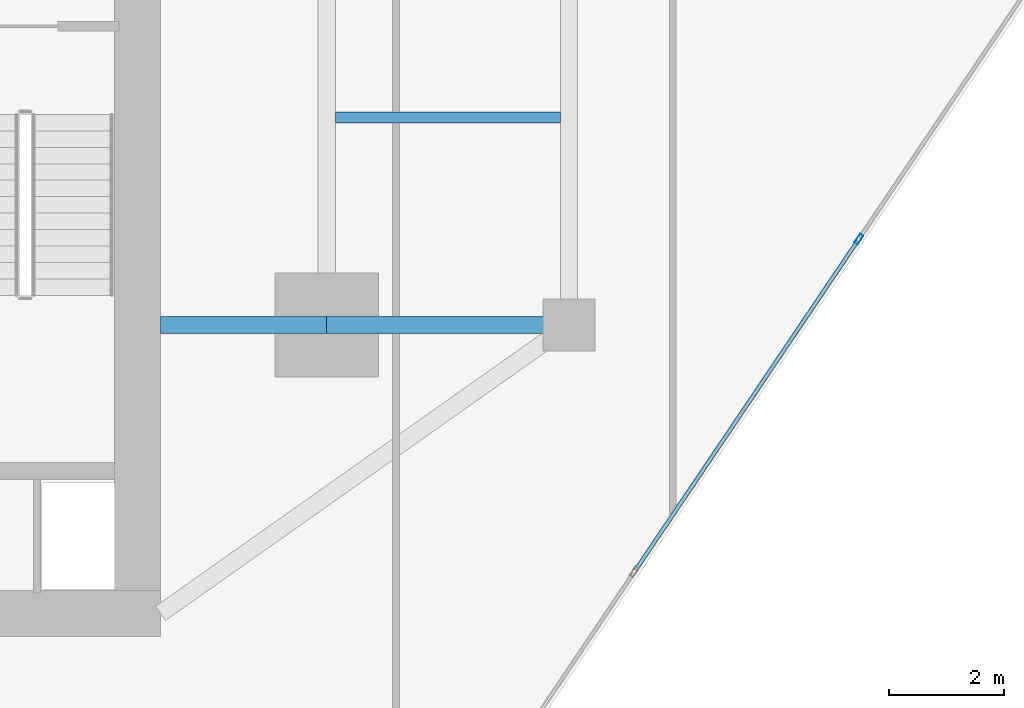
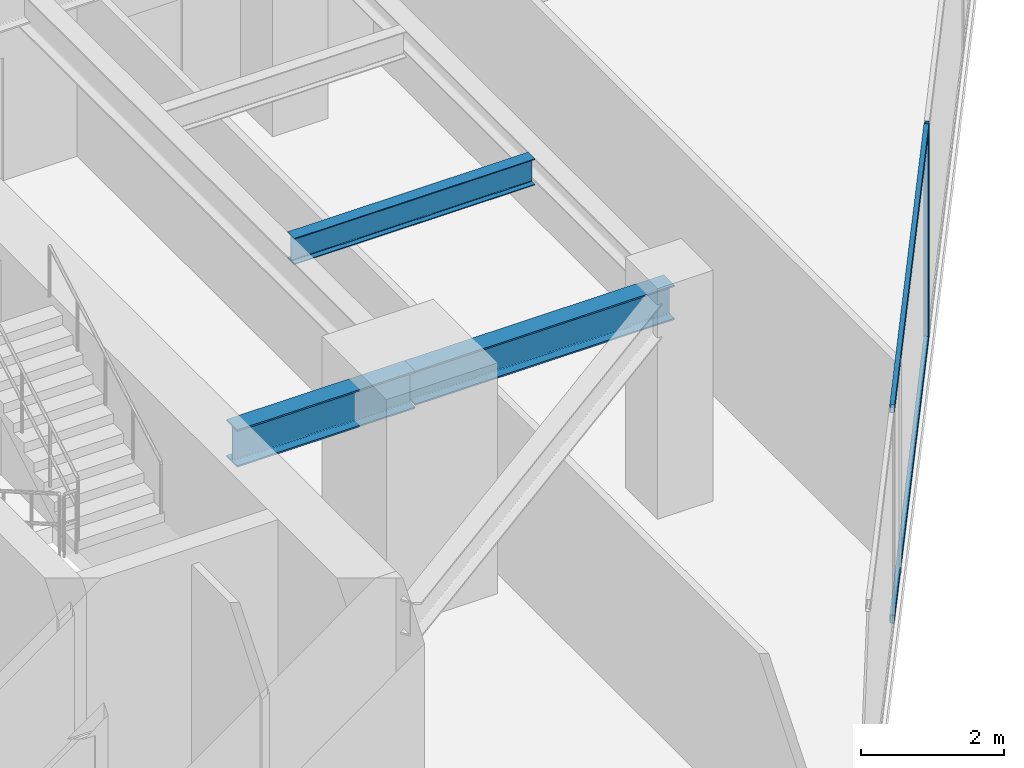
# One storey, part 10 of 27: 3 beams, 3 members, 1 element without a shape of its own.
"""IFC4 building model written with IfcOpenShell, lengths in metres."""

from ifc_helpers import new_model, si_unit, direction, frame, origin, origin_2d, place, context, subcontext, project, spatial, hollow_rectangle, i_section, extrude, source, transform, mapped, material, material_profile, profile_set, type_object, type_shapes, element, aggregate, save


model = new_model("IFC4")

# Units and contexts
model_context = context("Model", 3, precision=1e-05, world=origin(), true_north=direction((0.0, 1.0)))
body_context = subcontext(model_context, "Body", "Model", "MODEL_VIEW")
ifc_project = project(units=[si_unit("LENGTHUNIT", "METRE"), si_unit("AREAUNIT", "SQUARE_METRE"), si_unit("VOLUMEUNIT", "CUBIC_METRE"), si_unit("PLANEANGLEUNIT", "RADIAN"), si_unit("MASSUNIT", "GRAM", prefix="KILO")], contexts=[model_context])

# Site, building, storey
site_placement = place(None, origin())
site = spatial("IfcSite", under=ifc_project, at=site_placement, CompositionType="ELEMENT")
building_placement = place(site_placement, origin())
building = spatial("IfcBuilding", under=site, at=building_placement, Name="Krantzveldt Concourse Tower", CompositionType="ELEMENT")
storey_placement = place(building_placement, frame((0.0, 0.0, 185.699951171875)))
storey = spatial("IfcBuildingStorey", under=building, at=storey_placement, Name="L45", CompositionType="ELEMENT", Elevation=185.699951171875)

# Beams
ifc_material_1 = material(Name="Steel S355JR", Category="steel")
ifc_material_profile_1 = material_profile(ifc_material_1, i_section(OverallWidth=0.300048828125, OverallDepth=0.590087890625, WebThickness=0.012939453125, FlangeThickness=0.02490234375, FilletRadius=0.027099609375, at=origin_2d()), Name="Steel S355JR", Category="steel")
ifc_profile_set_1 = profile_set([ifc_material_profile_1], Name="Steel S355JR - HEA 600")
beam_type_1 = type_object("IfcBeamType", Name="BM-B-HEA600", PredefinedType="BEAM", material=ifc_profile_set_1)
shared_shape_1 = source(origin(), body_context, "Body", "SweptSolid", [
    extrude(i_section(OverallWidth=0.300048828125, OverallDepth=0.590087890625, WebThickness=0.012939453125, FlangeThickness=0.02490234375, FilletRadius=0.027099609375, at=origin_2d()), origin(), (0.0, 0.0, 1.0), 4.199951171875),
])
type_shapes(beam_type_1, [shared_shape_1])
beam_1_placement = place(storey_placement, frame((46.800048828125, 15.89990234375, 3.375), z_axis=(1.0, 0.0, 0.0), x_axis=(0.0, 1.0, 0.0)))
element("IfcBeam", 1, at=beam_1_placement, inside=storey, type_object=beam_type_1, Name="L45 Tower Girder BR-RR1", PredefinedType="BEAM", context=body_context, shape_type="MappedRepresentation", body=[
    mapped(shared_shape_1, transform((0.0, 0.0, 0.0), x_axis=(1.0, 0.0, 0.0), y_axis=(0.0, 1.0, 0.0), z_axis=(0.0, 0.0, 1.0), scale=1.0)),
])
ifc_material_profile_2 = material_profile(ifc_material_1, i_section(OverallWidth=0.300048828125, OverallDepth=0.639892578125, WebThickness=0.013427734375, FlangeThickness=0.02587890625, FilletRadius=0.027099609375, at=origin_2d()), Name="Steel S355JR", Category="steel")
ifc_profile_set_2 = profile_set([ifc_material_profile_2], Name="Steel S355JR - HEA 650")
beam_type_2 = type_object("IfcBeamType", Name="BM-B-HEA650", PredefinedType="BEAM", material=ifc_profile_set_2)
shared_shape_2 = source(origin(), body_context, "Body", "SweptSolid", [
    extrude(i_section(OverallWidth=0.300048828125, OverallDepth=0.639892578125, WebThickness=0.013427734375, FlangeThickness=0.02587890625, FilletRadius=0.027099609375, at=origin_2d()), origin(), (0.0, 0.0, 1.0), 2.880126953125),
])
type_shapes(beam_type_2, [shared_shape_2])
beam_2_placement = place(storey_placement, frame((43.919921875, 15.89990234375, 3.35009765625), z_axis=(1.0, 0.0, 0.0), x_axis=(0.0, 1.0, 0.0)))
element("IfcBeam", 2, at=beam_2_placement, inside=storey, type_object=beam_type_2, Name="L45 Tower Girder BG-CE1", PredefinedType="BEAM", context=body_context, shape_type="MappedRepresentation", body=[
    mapped(shared_shape_2, transform((0.0, 0.0, 0.0), x_axis=(1.0, 0.0, 0.0), y_axis=(0.0, 1.0, 0.0), z_axis=(0.0, 0.0, 1.0), scale=1.0)),
])
ifc_material_profile_3 = material_profile(ifc_material_1, i_section(OverallWidth=0.18994140625, OverallDepth=0.449951171875, WebThickness=0.009521484375, FlangeThickness=0.0146484375, FilletRadius=0.02099609375, at=origin_2d()), Name="Steel S355JR", Category="steel")
ifc_profile_set_3 = profile_set([ifc_material_profile_3], Name="Steel S355JR - IPE 450")
beam_type_3 = type_object("IfcBeamType", Name="BM-J-IPE450", PredefinedType="JOIST", material=ifc_profile_set_3)
shared_shape_3 = source(origin(), body_context, "Body", "SweptSolid", [
    extrude(i_section(OverallWidth=0.18994140625, OverallDepth=0.449951171875, WebThickness=0.009521484375, FlangeThickness=0.0146484375, FilletRadius=0.02099609375, at=origin_2d()), origin(), (0.0, 0.0, 1.0), 3.900146484375),
])
type_shapes(beam_type_3, [shared_shape_3])
beam_3_placement = place(storey_placement, frame((46.949951171875, 19.5, 3.445068359375), z_axis=(1.0, 0.0, 0.0), x_axis=(0.0, 1.0, 0.0)))
element("IfcBeam", 3, at=beam_3_placement, inside=storey, type_object=beam_type_3, Name="L45 Secondary Floor Joist JE-1", PredefinedType="JOIST", context=body_context, shape_type="MappedRepresentation", body=[
    mapped(shared_shape_3, transform((0.0, 0.0, 0.0), x_axis=(1.0, 0.0, 0.0), y_axis=(0.0, 1.0, 0.0), z_axis=(0.0, 0.0, 1.0), scale=1.0)),
])

# Curtain wall, members
ifc_material_2 = material(Name="Anodised aluminium 6063-T6", Category="aluminium")
curtain_wall_type = type_object("IfcCurtainWallType", Name="CW3", PredefinedType="USERDEFINED", material=ifc_material_2)
curtain_wall_placement = place(storey_placement, origin())
curtain_wall = element("IfcCurtainWall", 4, at=curtain_wall_placement, inside=storey, type_object=curtain_wall_type, Name="CW-L45-F07", ObjectType="UNITISED CURTAIN WALL", PredefinedType="USERDEFINED")
ifc_material_profile_4 = material_profile(ifc_material_2, hollow_rectangle(XDim=0.070068359375, YDim=0.179931640625, WallThickness=0.0048828125, at=origin_2d()), Name="Anodised aluminium 6063-T6", Category="aluminium")
ifc_profile_set_4 = profile_set([ifc_material_profile_4], Name="Anodised aluminium 6063-T6 - ALU-MULL 180x70x5")
member_type_1 = type_object("IfcMemberType", Name="CW-MUL-180", PredefinedType="MULLION", material=ifc_profile_set_4)
shared_shape_4 = source(origin(), body_context, "Body", "SweptSolid", [
    extrude(hollow_rectangle(XDim=0.070068359375, YDim=0.179931640625, WallThickness=0.0048828125, at=origin_2d()), origin(), (0.0, 0.0, 1.0), 3.670166015625),
])
type_shapes(member_type_1, [shared_shape_4])
member_1_placement = place(storey_placement, frame((56.02734375, 17.38916015625, 0.0), z_axis=(0.0, 0.0, 1.0), x_axis=(-0.829037635301, 0.559192810447, 0.0)))
member_1 = element("IfcMember", 5, at=member_1_placement, type_object=member_type_1, Name="CW-Z34 mullion 4", PredefinedType="MULLION", context=body_context, shape_type="MappedRepresentation", body=[
    mapped(shared_shape_4, transform((0.0, 0.0, 0.0), x_axis=(1.0, 0.0, 0.0), y_axis=(0.0, 1.0, 0.0), z_axis=(0.0, 0.0, 1.0), scale=1.0)),
])
ifc_material_profile_5 = material_profile(ifc_material_2, hollow_rectangle(XDim=0.070068359375, YDim=0.139892578125, WallThickness=0.0048828125, at=origin_2d()), Name="Anodised aluminium 6063-T6", Category="aluminium")
ifc_profile_set_5 = profile_set([ifc_material_profile_5], Name="Anodised aluminium 6063-T6 - ALU-TRAN 140x70x5")
member_type_2 = type_object("IfcMemberType", Name="CW-TRN-150", PredefinedType="USERDEFINED", material=ifc_profile_set_5)
shared_shape_5 = source(origin(), body_context, "Body", "SweptSolid", [
    extrude(hollow_rectangle(XDim=0.070068359375, YDim=0.139892578125, WallThickness=0.0048828125, at=origin_2d()), origin(), (0.0, 0.0, 1.0), 6.89013671875),
])
type_shapes(member_type_2, [shared_shape_5])
member_2_placement = place(storey_placement, frame((52.15478515625, 11.64794921875, 0.03515625), z_axis=(0.559205670174, 0.829028961162, 0.0), x_axis=(-0.829028961162, 0.559205670174, 0.0)))
member_2 = element("IfcMember", 6, at=member_2_placement, type_object=member_type_2, Name="CW-Z34 transom 3.1", ObjectType="TRANSOM", PredefinedType="USERDEFINED", context=body_context, shape_type="MappedRepresentation", body=[
    mapped(shared_shape_5, transform((0.0, 0.0, 0.0), x_axis=(1.0, 0.0, 0.0), y_axis=(0.0, 1.0, 0.0), z_axis=(0.0, 0.0, 1.0), scale=1.0)),
])
member_3_placement = place(storey_placement, frame((52.15478515625, 11.64794921875, 3.635009765625), z_axis=(0.559205670174, 0.829028961162, 0.0), x_axis=(-0.829028961162, 0.559205670174, 0.0)))
member_3 = element("IfcMember", 7, at=member_3_placement, type_object=member_type_2, Name="CW-Z34 transom 3.2", ObjectType="TRANSOM", PredefinedType="USERDEFINED", context=body_context, shape_type="MappedRepresentation", body=[
    mapped(shared_shape_5, transform((0.0, 0.0, 0.0), x_axis=(1.0, 0.0, 0.0), y_axis=(0.0, 1.0, 0.0), z_axis=(0.0, 0.0, 1.0), scale=1.0)),
])
aggregate(curtain_wall, [member_1, member_2, member_3])

save(model, "model.ifc")
